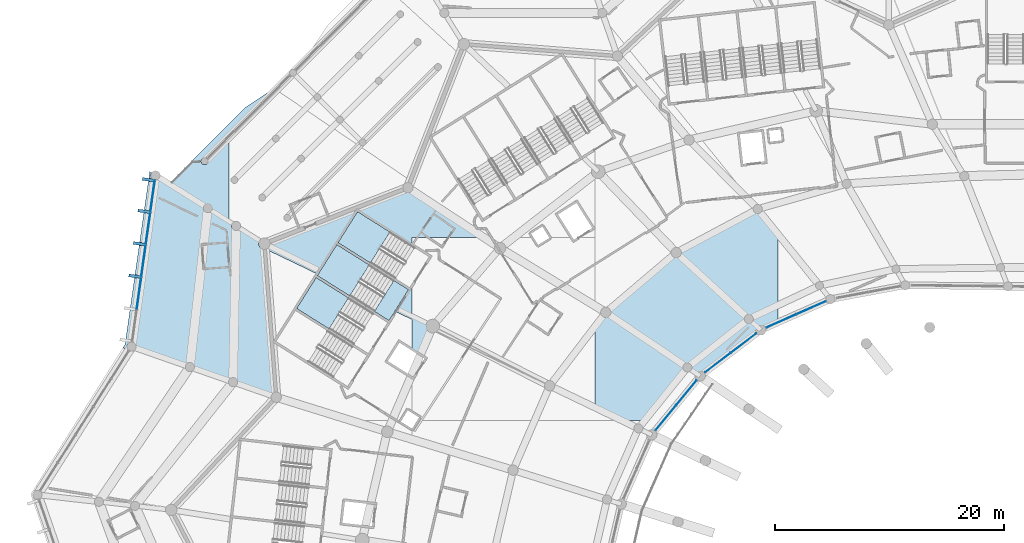
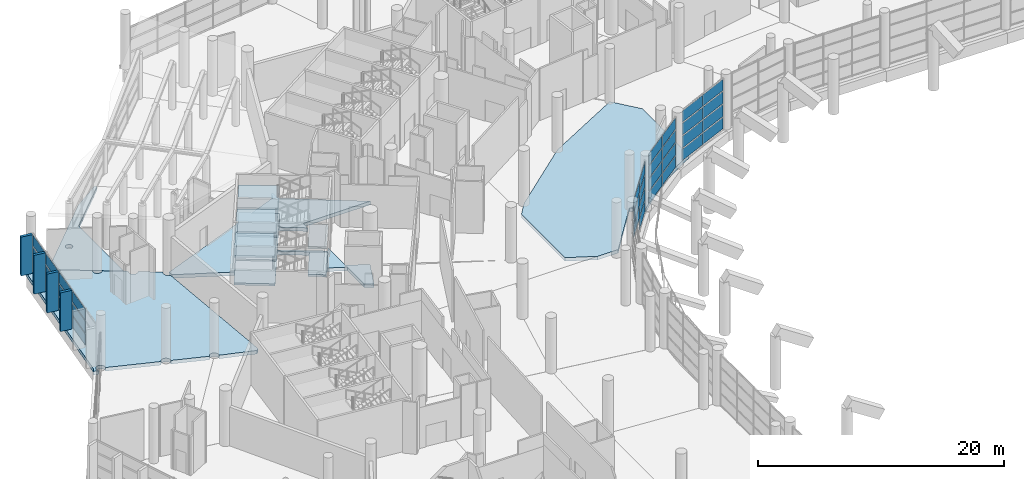
# One storey, part 141 of 271: 39 plates, 12 slabs, 7 elements without a shape of their own.
"""IFC4 building model written with IfcOpenShell, lengths in metres."""

from ifc_helpers import new_model, si_unit, direction, frame, origin, origin_2d, place, context, subcontext, project, spatial, polyline, rectangle, outline, extrude, material, layer, layer_set, type_object, element, aggregate, save


model = new_model("IFC4")

# Units and contexts
model_context = context("Model", 3, precision=1e-05, world=origin(), true_north=direction((0.0, 1.0)))
body_context = subcontext(model_context, "Body", "Model", "MODEL_VIEW")
ifc_project = project(units=[si_unit("LENGTHUNIT", "METRE"), si_unit("AREAUNIT", "SQUARE_METRE"), si_unit("VOLUMEUNIT", "CUBIC_METRE"), si_unit("PLANEANGLEUNIT", "RADIAN"), si_unit("MASSUNIT", "GRAM", prefix="KILO")], contexts=[model_context])

# Site, building, storey
site_placement = place(None, origin())
site = spatial("IfcSite", under=ifc_project, at=site_placement, CompositionType="ELEMENT")
building_placement = place(site_placement, origin())
building = spatial("IfcBuilding", under=site, at=building_placement, Name="Meseta Stadium", CompositionType="ELEMENT")
storey_placement = place(building_placement, frame((0.0, 0.0, 6.5)))
storey = spatial("IfcBuildingStorey", under=building, at=storey_placement, Name="L01", CompositionType="ELEMENT", Elevation=6.5)

# Curtain wall, plates
ifc_material_1 = material(Name="Aluminium", Category="aluminium")
ifc_layer_1 = layer(ifc_material_1, 0.199951171875)
ifc_layer_set_1 = layer_set([ifc_layer_1], Name="Club glazing curtain wall")
curtain_wall_type_1 = type_object("IfcCurtainWallType", Name="Club glazing curtain wall", PredefinedType="NOTDEFINED", material=ifc_layer_set_1)
curtain_wall_1_placement = place(storey_placement, origin())
curtain_wall_1 = element("IfcCurtainWall", 1, at=curtain_wall_1_placement, inside=storey, type_object=curtain_wall_type_1, Name="Club glazing bay 23", PredefinedType="NOTDEFINED")
ifc_material_2 = material(Name="Glass", Category="glass")
ifc_layer_2 = layer(ifc_material_2, 0.028076171875)
ifc_layer_set_2 = layer_set([ifc_layer_2], Name="CW glass panel 28")
plate_type_1 = type_object("IfcPlateType", Name="CW glass panel 28", PredefinedType="CURTAIN_PANEL", material=ifc_layer_set_2)
plate_1_placement = place(storey_placement, frame((-45.120849609375, 73.869873046875, 0.1201171875), z_axis=(0.0, 0.0, 1.0), x_axis=(-0.914527256817, -0.40452428424, 0.0)))
plate_1 = element("IfcPlate", 2, at=plate_1_placement, type_object=plate_type_1, Name="CWC panel 1.1", PredefinedType="CURTAIN_PANEL", context=body_context, shape_type="SweptSolid", body=[
    extrude(rectangle(XDim=2.777099609375, YDim=0.028076171875, at=origin_2d()), origin(), (0.0, 0.0, 1.0), 1.107421875),
])
plate_2_placement = place(storey_placement, frame((-45.120849609375, 73.869873046875, 1.347412109375), z_axis=(0.0, 0.0, 1.0), x_axis=(-0.914527256817, -0.40452428424, 0.0)))
plate_2 = element("IfcPlate", 3, at=plate_2_placement, type_object=plate_type_1, Name="CWC panel 1.2", PredefinedType="CURTAIN_PANEL", context=body_context, shape_type="SweptSolid", body=[
    extrude(rectangle(XDim=2.777099609375, YDim=0.028076171875, at=origin_2d()), origin(), (0.0, 0.0, 1.0), 1.16748046875),
])
plate_3_placement = place(storey_placement, frame((-45.120849609375, 73.869873046875, 2.635009765625), z_axis=(0.0, 0.0, 1.0), x_axis=(-0.914527256817, -0.40452428424, 0.0)))
plate_3 = element("IfcPlate", 4, at=plate_3_placement, type_object=plate_type_1, Name="CWC panel 1.3", PredefinedType="CURTAIN_PANEL", context=body_context, shape_type="SweptSolid", body=[
    extrude(rectangle(XDim=2.777099609375, YDim=0.028076171875, at=origin_2d()), origin(), (0.0, 0.0, 1.0), 1.16748046875),
])
plate_4_placement = place(storey_placement, frame((-45.120849609375, 73.869873046875, 3.922607421875), z_axis=(0.0, 0.0, 1.0), x_axis=(-0.914527256817, -0.40452428424, 0.0)))
plate_4 = element("IfcPlate", 5, at=plate_4_placement, type_object=plate_type_1, Name="CWC panel 1.4", PredefinedType="CURTAIN_PANEL", context=body_context, shape_type="SweptSolid", body=[
    extrude(rectangle(XDim=2.777099609375, YDim=0.028076171875, at=origin_2d()), origin(), (0.0, 0.0, 1.0), 1.107421875),
])
plate_5_placement = place(storey_placement, frame((-47.71533203125, 72.72216796875, 0.1201171875), z_axis=(0.0, 0.0, 1.0), x_axis=(-0.914527256817, -0.40452428424, 0.0)))
plate_5 = element("IfcPlate", 6, at=plate_5_placement, type_object=plate_type_1, Name="CWC panel 2.1", PredefinedType="CURTAIN_PANEL", context=body_context, shape_type="SweptSolid", body=[
    extrude(rectangle(XDim=2.777099609375, YDim=0.028076171875, at=origin_2d()), origin(), (0.0, 0.0, 1.0), 1.107421875),
])
plate_6_placement = place(storey_placement, frame((-47.71533203125, 72.72216796875, 1.347412109375), z_axis=(0.0, 0.0, 1.0), x_axis=(-0.914527256817, -0.40452428424, 0.0)))
plate_6 = element("IfcPlate", 7, at=plate_6_placement, type_object=plate_type_1, Name="CWC panel 2.2", PredefinedType="CURTAIN_PANEL", context=body_context, shape_type="SweptSolid", body=[
    extrude(rectangle(XDim=2.777099609375, YDim=0.028076171875, at=origin_2d()), origin(), (0.0, 0.0, 1.0), 1.16748046875),
])
plate_7_placement = place(storey_placement, frame((-47.71533203125, 72.72216796875, 2.635009765625), z_axis=(0.0, 0.0, 1.0), x_axis=(-0.914527256817, -0.40452428424, 0.0)))
plate_7 = element("IfcPlate", 8, at=plate_7_placement, type_object=plate_type_1, Name="CWC panel 2.3", PredefinedType="CURTAIN_PANEL", context=body_context, shape_type="SweptSolid", body=[
    extrude(rectangle(XDim=2.777099609375, YDim=0.028076171875, at=origin_2d()), origin(), (0.0, 0.0, 1.0), 1.16748046875),
])
plate_8_placement = place(storey_placement, frame((-47.71533203125, 72.72216796875, 3.922607421875), z_axis=(0.0, 0.0, 1.0), x_axis=(-0.914527256817, -0.40452428424, 0.0)))
plate_8 = element("IfcPlate", 9, at=plate_8_placement, type_object=plate_type_1, Name="CWC panel 2.4", PredefinedType="CURTAIN_PANEL", context=body_context, shape_type="SweptSolid", body=[
    extrude(rectangle(XDim=2.777099609375, YDim=0.028076171875, at=origin_2d()), origin(), (0.0, 0.0, 1.0), 1.107421875),
])
aggregate(curtain_wall_1, [plate_1, plate_2, plate_3, plate_4, plate_5, plate_6, plate_7, plate_8])

curtain_wall_2_placement = place(storey_placement, origin())
curtain_wall_2 = element("IfcCurtainWall", 10, at=curtain_wall_2_placement, inside=storey, type_object=curtain_wall_type_1, Name="Club glazing bay 24", PredefinedType="NOTDEFINED")
plate_9_placement = place(storey_placement, frame((-51.0234375, 70.782470703125, 0.1201171875), z_axis=(0.0, 0.0, 1.0), x_axis=(-0.796590021375, -0.604519923448, 0.0)))
plate_9 = element("IfcPlate", 11, at=plate_9_placement, type_object=plate_type_1, Name="CWC panel 1.1", PredefinedType="CURTAIN_PANEL", context=body_context, shape_type="SweptSolid", body=[
    extrude(rectangle(XDim=2.759765625, YDim=0.028076171875, at=origin_2d()), origin(), (0.0, 0.0, 1.0), 1.107421875),
])
plate_10_placement = place(storey_placement, frame((-51.0234375, 70.782470703125, 1.347412109375), z_axis=(0.0, 0.0, 1.0), x_axis=(-0.796590021375, -0.604519923448, 0.0)))
plate_10 = element("IfcPlate", 12, at=plate_10_placement, type_object=plate_type_1, Name="CWC panel 1.2", PredefinedType="CURTAIN_PANEL", context=body_context, shape_type="SweptSolid", body=[
    extrude(rectangle(XDim=2.759765625, YDim=0.028076171875, at=origin_2d()), origin(), (0.0, 0.0, 1.0), 1.16748046875),
])
plate_11_placement = place(storey_placement, frame((-51.0234375, 70.782470703125, 2.635009765625), z_axis=(0.0, 0.0, 1.0), x_axis=(-0.796590021375, -0.604519923448, 0.0)))
plate_11 = element("IfcPlate", 13, at=plate_11_placement, type_object=plate_type_1, Name="CWC panel 1.3", PredefinedType="CURTAIN_PANEL", context=body_context, shape_type="SweptSolid", body=[
    extrude(rectangle(XDim=2.759765625, YDim=0.028076171875, at=origin_2d()), origin(), (0.0, 0.0, 1.0), 1.16748046875),
])
plate_12_placement = place(storey_placement, frame((-51.0234375, 70.782470703125, 3.922607421875), z_axis=(0.0, 0.0, 1.0), x_axis=(-0.796590021375, -0.604519923448, 0.0)))
plate_12 = element("IfcPlate", 14, at=plate_12_placement, type_object=plate_type_1, Name="CWC panel 1.4", PredefinedType="CURTAIN_PANEL", context=body_context, shape_type="SweptSolid", body=[
    extrude(rectangle(XDim=2.759765625, YDim=0.028076171875, at=origin_2d()), origin(), (0.0, 0.0, 1.0), 1.107421875),
])
plate_13_placement = place(storey_placement, frame((-53.26953125, 69.077880859375, 0.1201171875), z_axis=(0.0, 0.0, 1.0), x_axis=(-0.796590021375, -0.604519923448, 0.0)))
plate_13 = element("IfcPlate", 15, at=plate_13_placement, type_object=plate_type_1, Name="CWC panel 2.1", PredefinedType="CURTAIN_PANEL", context=body_context, shape_type="SweptSolid", body=[
    extrude(rectangle(XDim=2.759765625, YDim=0.028076171875, at=origin_2d()), origin(), (0.0, 0.0, 1.0), 1.107421875),
])
plate_14_placement = place(storey_placement, frame((-53.26953125, 69.077880859375, 1.347412109375), z_axis=(0.0, 0.0, 1.0), x_axis=(-0.796590021375, -0.604519923448, 0.0)))
plate_14 = element("IfcPlate", 16, at=plate_14_placement, type_object=plate_type_1, Name="CWC panel 2.2", PredefinedType="CURTAIN_PANEL", context=body_context, shape_type="SweptSolid", body=[
    extrude(rectangle(XDim=2.759765625, YDim=0.028076171875, at=origin_2d()), origin(), (0.0, 0.0, 1.0), 1.16748046875),
])
plate_15_placement = place(storey_placement, frame((-53.26953125, 69.077880859375, 2.635009765625), z_axis=(0.0, 0.0, 1.0), x_axis=(-0.796590021375, -0.604519923448, 0.0)))
plate_15 = element("IfcPlate", 17, at=plate_15_placement, type_object=plate_type_1, Name="CWC panel 2.3", PredefinedType="CURTAIN_PANEL", context=body_context, shape_type="SweptSolid", body=[
    extrude(rectangle(XDim=2.759765625, YDim=0.028076171875, at=origin_2d()), origin(), (0.0, 0.0, 1.0), 1.16748046875),
])
plate_16_placement = place(storey_placement, frame((-53.26953125, 69.077880859375, 3.922607421875), z_axis=(0.0, 0.0, 1.0), x_axis=(-0.796590021375, -0.604519923448, 0.0)))
plate_16 = element("IfcPlate", 18, at=plate_16_placement, type_object=plate_type_1, Name="CWC panel 2.4", PredefinedType="CURTAIN_PANEL", context=body_context, shape_type="SweptSolid", body=[
    extrude(rectangle(XDim=2.759765625, YDim=0.028076171875, at=origin_2d()), origin(), (0.0, 0.0, 1.0), 1.107421875),
])
aggregate(curtain_wall_2, [plate_9, plate_10, plate_11, plate_12, plate_13, plate_14, plate_15, plate_16])

curtain_wall_3_placement = place(storey_placement, origin())
curtain_wall_3 = element("IfcCurtainWall", 19, at=curtain_wall_3_placement, inside=storey, type_object=curtain_wall_type_1, Name="Club glazing bay 25", PredefinedType="NOTDEFINED")
plate_17_placement = place(storey_placement, frame((-56.022705078125, 66.44091796875, 0.1201171875), z_axis=(0.0, 0.0, 1.0), x_axis=(-0.63574102663, -0.771902420685, 0.0)))
plate_17 = element("IfcPlate", 20, at=plate_17_placement, type_object=plate_type_1, Name="CWC panel 1.1", PredefinedType="CURTAIN_PANEL", context=body_context, shape_type="SweptSolid", body=[
    extrude(rectangle(XDim=2.7646484375, YDim=0.028076171875, at=origin_2d()), origin(), (0.0, 0.0, 1.0), 1.107421875),
])
plate_18_placement = place(storey_placement, frame((-56.022705078125, 66.44091796875, 1.347412109375), z_axis=(0.0, 0.0, 1.0), x_axis=(-0.63574102663, -0.771902420685, 0.0)))
plate_18 = element("IfcPlate", 21, at=plate_18_placement, type_object=plate_type_1, Name="CWC panel 1.2", PredefinedType="CURTAIN_PANEL", context=body_context, shape_type="SweptSolid", body=[
    extrude(rectangle(XDim=2.7646484375, YDim=0.028076171875, at=origin_2d()), origin(), (0.0, 0.0, 1.0), 1.16748046875),
])
plate_19_placement = place(storey_placement, frame((-56.022705078125, 66.44091796875, 2.635009765625), z_axis=(0.0, 0.0, 1.0), x_axis=(-0.63574102663, -0.771902420685, 0.0)))
plate_19 = element("IfcPlate", 22, at=plate_19_placement, type_object=plate_type_1, Name="CWC panel 1.3", PredefinedType="CURTAIN_PANEL", context=body_context, shape_type="SweptSolid", body=[
    extrude(rectangle(XDim=2.7646484375, YDim=0.028076171875, at=origin_2d()), origin(), (0.0, 0.0, 1.0), 1.16748046875),
])
plate_20_placement = place(storey_placement, frame((-56.022705078125, 66.44091796875, 3.922607421875), z_axis=(0.0, 0.0, 1.0), x_axis=(-0.63574102663, -0.771902420685, 0.0)))
plate_20 = element("IfcPlate", 23, at=plate_20_placement, type_object=plate_type_1, Name="CWC panel 1.4", PredefinedType="CURTAIN_PANEL", context=body_context, shape_type="SweptSolid", body=[
    extrude(rectangle(XDim=2.7646484375, YDim=0.028076171875, at=origin_2d()), origin(), (0.0, 0.0, 1.0), 1.107421875),
])
plate_21_placement = place(storey_placement, frame((-57.818359375, 64.260498046875, 1.347412109375), z_axis=(0.0, 0.0, 1.0), x_axis=(-0.63574102663, -0.771902420685, 0.0)))
plate_21 = element("IfcPlate", 24, at=plate_21_placement, type_object=plate_type_1, Name="CWC panel 2.2", PredefinedType="CURTAIN_PANEL", context=body_context, shape_type="SweptSolid", body=[
    extrude(rectangle(XDim=2.7646484375, YDim=0.028076171875, at=origin_2d()), origin(), (0.0, 0.0, 1.0), 1.16748046875),
])
plate_22_placement = place(storey_placement, frame((-57.818359375, 64.260498046875, 2.635009765625), z_axis=(0.0, 0.0, 1.0), x_axis=(-0.63574102663, -0.771902420685, 0.0)))
plate_22 = element("IfcPlate", 25, at=plate_22_placement, type_object=plate_type_1, Name="CWC panel 2.3", PredefinedType="CURTAIN_PANEL", context=body_context, shape_type="SweptSolid", body=[
    extrude(rectangle(XDim=2.7646484375, YDim=0.028076171875, at=origin_2d()), origin(), (0.0, 0.0, 1.0), 1.16748046875),
])
plate_23_placement = place(storey_placement, frame((-57.818359375, 64.260498046875, 3.922607421875), z_axis=(0.0, 0.0, 1.0), x_axis=(-0.63574102663, -0.771902420685, 0.0)))
plate_23 = element("IfcPlate", 26, at=plate_23_placement, type_object=plate_type_1, Name="CWC panel 2.4", PredefinedType="CURTAIN_PANEL", context=body_context, shape_type="SweptSolid", body=[
    extrude(rectangle(XDim=2.7646484375, YDim=0.028076171875, at=origin_2d()), origin(), (0.0, 0.0, 1.0), 1.107421875),
])
aggregate(curtain_wall_3, [plate_17, plate_18, plate_19, plate_20, plate_21, plate_22, plate_23])

# Slabs
ifc_material_3 = material(Name="Concrete C40/50", Category="concrete")
ifc_layer_3 = layer(ifc_material_3, 0.35009765625)
ifc_layer_set_3 = layer_set([ifc_layer_3], Name="Floor slab 350")
slab_type_1 = type_object("IfcSlabType", Name="Floor slab 350", PredefinedType="FLOOR", material=ifc_layer_set_3)
slab_1_placement = place(storey_placement, frame((0.0, 0.0, -0.35009765625)))
element("IfcSlab", 27, at=slab_1_placement, inside=storey, type_object=slab_type_1, Name="Floor slab L01 sector 21 panel 03", PredefinedType="FLOOR", context=body_context, shape_type="SweptSolid", body=[
    extrude(outline(polyline([(-80.124267578125, 84.98388671875), (-80.365478515625, 84.365478515625), (-92.908447265625, 79.474609375), (-92.87451171875, 79.03369140625), (-88.2158203125, 76.793212890625), (-86.58056640625, 79.395751953125), (-80.314697265625, 75.458740234375), (-81.504150390625, 73.565673828125), (-80.0, 72.84228515625), (-80.0, 70.12353515625), (-79.308349609375, 69.68896484375), (-78.197998046875, 72.27197265625), (-80.0, 73.154296875), (-80.0, 75.959716796875), (-80.208251953125, 75.628173828125), (-86.47412109375, 79.565185546875), (-84.771484375, 82.274658203125), (-80.0, 79.276611328125), (-80.0, 80.0), (-73.699951171875, 80.0), (-80.0, 84.126220703125), (-80.0, 84.89990234375), (-80.124267578125, 84.98388671875)])), origin(), (0.0, 0.0, 1.0), 0.35009765625),
])
slab_2_placement = place(storey_placement, frame((0.0, 0.0, -0.35009765625)))
element("IfcSlab", 28, at=slab_2_placement, inside=storey, type_object=slab_type_1, Name="Floor slab L01 sector 21 panel 11", PredefinedType="FLOOR", context=body_context, shape_type="SweptSolid", body=[
    extrude(outline(polyline([(-50.46484375, 71.34130859375), (-49.518310546875, 71.924560546875), (-48.5498046875, 72.470703125), (-48.0, 72.753173828125), (-48.0, 80.279296875), (-49.791015625, 82.498779296875), (-56.9150390625, 78.69580078125), (-63.068115234375, 73.469970703125), (-64.0, 72.251708984375), (-64.0, 65.1474609375), (-61.614013671875, 64.0), (-59.68408203125, 64.0), (-55.940185546875, 68.658203125), (-54.819580078125, 67.901611328125), (-54.00341796875, 68.656005859375), (-53.15869140625, 69.37841796875), (-52.286376953125, 70.0673828125), (-51.387939453125, 70.721923828125), (-50.46484375, 71.34130859375)])), origin(), (0.0, 0.0, 1.0), 0.35009765625),
])
slab_3_placement = place(storey_placement, frame((0.0, 0.0, -0.35009765625)))
element("IfcSlab", 29, at=slab_3_placement, inside=storey, type_object=slab_type_1, Name="Gate hall floor slab 4 panel 01", PredefinedType="FLOOR", context=body_context, shape_type="SweptSolid", body=[
    extrude(outline(polyline([(-94.555419921875, 91.388671875), (-101.236572265625, 84.70751953125), (-96.0, 81.4169921875), (-96.0, 88.8125), (-91.8876953125, 92.9248046875), (-92.0751953125, 93.051513671875), (-94.555419921875, 91.388671875)]), holes=[polyline([(-98.2158203125, 86.96728515625), (-98.1376953125, 86.9775390625), (-98.059326171875, 86.96728515625), (-97.986328125, 86.93701171875), (-97.923583984375, 86.888916015625), (-97.87548828125, 86.826416015625), (-97.84521484375, 86.75341796875), (-97.8349609375, 86.675048828125), (-97.84521484375, 86.5966796875), (-97.87548828125, 86.523681640625), (-97.923583984375, 86.461181640625), (-97.986328125, 86.4130859375), (-98.059326171875, 86.3828125), (-98.1376953125, 86.372314453125), (-98.2158203125, 86.3828125), (-98.288818359375, 86.4130859375), (-98.3515625, 86.461181640625), (-98.399658203125, 86.523681640625), (-98.429931640625, 86.5966796875), (-98.440185546875, 86.675048828125), (-98.429931640625, 86.75341796875), (-98.399658203125, 86.826416015625), (-98.3515625, 86.888916015625), (-98.288818359375, 86.93701171875), (-98.2158203125, 86.96728515625)])]), origin(), (0.0, 0.0, 1.0), 0.35009765625),
])
slab_4_placement = place(storey_placement, frame((0.0, 0.0, -0.35009765625)))
element("IfcSlab", 30, at=slab_4_placement, inside=storey, type_object=slab_type_1, Name="Ring floor slab L01 4 part 2 panel 02", PredefinedType="FLOOR", context=body_context, shape_type="SweptSolid", body=[
    extrude(outline(polyline([(-95.258544921875, 67.268310546875), (-95.272705078125, 67.234375), (-92.2578125, 66.2890625), (-92.193603515625, 66.37255859375), (-92.099609375, 66.444580078125), (-92.054931640625, 66.463134765625), (-93.021240234375, 78.985107421875), (-93.0390625, 78.9873046875), (-93.16064453125, 79.037841796875), (-93.26513671875, 79.117919921875), (-93.34521484375, 79.222412109375), (-93.395751953125, 79.343994140625), (-93.412841796875, 79.474609375), (-93.395751953125, 79.60498046875), (-93.34521484375, 79.726806640625), (-93.333740234375, 79.74169921875), (-95.0400390625, 80.81396484375), (-95.094970703125, 80.7421875), (-95.178466796875, 80.67822265625), (-95.27587890625, 80.637939453125), (-95.380126953125, 80.624267578125), (-95.484619140625, 80.637939453125), (-95.581787109375, 80.67822265625), (-95.66552734375, 80.7421875), (-95.7294921875, 80.825927734375), (-95.77001953125, 80.923095703125), (-95.78369140625, 81.027587890625), (-95.77001953125, 81.132080078125), (-95.7294921875, 81.2294921875), (-95.720458984375, 81.241455078125), (-97.51171875, 82.366943359375), (-97.566650390625, 82.29541015625), (-97.650146484375, 82.231201171875), (-97.747314453125, 82.19091796875), (-97.851806640625, 82.17724609375), (-97.89697265625, 82.18310546875), (-97.956298828125, 82.19091796875), (-98.0537109375, 82.231201171875), (-98.13720703125, 82.29541015625), (-98.201416015625, 82.37890625), (-98.24169921875, 82.476318359375), (-98.25537109375, 82.580810546875), (-98.24169921875, 82.68505859375), (-98.201416015625, 82.782470703125), (-98.19189453125, 82.79443359375), (-102.083984375, 85.239990234375), (-102.138916015625, 85.16845703125), (-102.222412109375, 85.104248046875), (-102.31982421875, 85.06396484375), (-102.42431640625, 85.05029296875), (-102.479736328125, 85.0576171875), (-102.528564453125, 85.06396484375), (-102.6259765625, 85.104248046875), (-102.70947265625, 85.16845703125), (-102.773681640625, 85.251953125), (-102.81396484375, 85.34912109375), (-102.82763671875, 85.45361328125), (-102.81396484375, 85.55810546875), (-102.773681640625, 85.655517578125), (-102.764404296875, 85.66748046875), (-102.93212890625, 85.77294921875), (-105.087158203125, 70.675537109375), (-105.27880859375, 70.37158203125), (-104.837646484375, 70.233154296875), (-104.8701171875, 70.275634765625), (-104.910400390625, 70.372802734375), (-104.92431640625, 70.477294921875), (-104.910400390625, 70.581787109375), (-104.8701171875, 70.678955078125), (-104.805908203125, 70.7626953125), (-104.722412109375, 70.82666015625), (-104.625244140625, 70.866943359375), (-104.520751953125, 70.880859375), (-104.416259765625, 70.866943359375), (-104.319091796875, 70.82666015625), (-104.235595703125, 70.7626953125), (-104.17138671875, 70.678955078125), (-104.131103515625, 70.581787109375), (-104.1171875, 70.477294921875), (-104.131103515625, 70.372802734375), (-104.142578125, 70.344970703125), (-99.802001953125, 68.826171875), (-99.773193359375, 68.8955078125), (-99.708984375, 68.97900390625), (-99.62548828125, 69.043212890625), (-99.5283203125, 69.08349609375), (-99.423828125, 69.09716796875), (-99.3193359375, 69.08349609375), (-99.22216796875, 69.043212890625), (-99.138427734375, 68.97900390625), (-99.074462890625, 68.8955078125), (-99.0341796875, 68.798095703125), (-99.020263671875, 68.69384765625), (-99.0341796875, 68.58935546875), (-99.045654296875, 68.5615234375), (-96.0263671875, 67.5048828125), (-95.997802734375, 67.574462890625), (-95.93359375, 67.657958984375), (-95.85009765625, 67.72216796875), (-95.752685546875, 67.762451171875), (-95.648193359375, 67.776123046875), (-95.543701171875, 67.762451171875), (-95.446533203125, 67.72216796875), (-95.363037109375, 67.657958984375), (-95.298828125, 67.574462890625), (-95.258544921875, 67.47705078125), (-95.244873046875, 67.372802734375), (-95.258544921875, 67.268310546875)])), origin(), (0.0, 0.0, 1.0), 0.35009765625),
])

# Curtain wall, plates
ifc_material_4 = material(Name="Aluminium", Category="aluminium")
ifc_layer_4 = layer(ifc_material_4, 0.199951171875)
ifc_layer_set_4 = layer_set([ifc_layer_4], Name="Ring shopfront curtain wall")
curtain_wall_type_2 = type_object("IfcCurtainWallType", Name="Ring shopfront curtain wall", PredefinedType="NOTDEFINED", material=ifc_layer_set_4)
curtain_wall_4_placement = place(storey_placement, origin())
curtain_wall_4 = element("IfcCurtainWall", 31, at=curtain_wall_4_placement, inside=storey, type_object=curtain_wall_type_2, Name="Ring glazing L01 F26", PredefinedType="NOTDEFINED")
ifc_material_5 = material(Name="Glass", Category="glass")
ifc_layer_5 = layer(ifc_material_5, 0.035888671875)
ifc_layer_set_5 = layer_set([ifc_layer_5], Name="Ring CW glass panel 36")
plate_type_2 = type_object("IfcPlateType", Name="Ring CW glass panel 36", PredefinedType="CURTAIN_PANEL", material=ifc_layer_set_5)
plate_24_placement = place(storey_placement, frame((-102.68017578125, 83.624267578125, 0.14990234375), z_axis=(0.0, 0.0, 1.0), x_axis=(-0.13864277713, -0.990342456098, 0.0)))
plate_24 = element("IfcPlate", 32, at=plate_24_placement, type_object=plate_type_2, Name="CWR1 panel 1.1", PredefinedType="CURTAIN_PANEL", context=body_context, shape_type="SweptSolid", body=[
    extrude(rectangle(XDim=2.7744140625, YDim=0.035888671875, at=origin_2d()), origin(), (0.0, 0.0, 1.0), 1.058349609375),
])
plate_25_placement = place(storey_placement, frame((-102.68017578125, 83.624267578125, 1.3583984375), z_axis=(0.0, 0.0, 1.0), x_axis=(-0.13864277713, -0.990342456098, 0.0)))
plate_25 = element("IfcPlate", 33, at=plate_25_placement, type_object=plate_type_2, Name="CWR1 panel 1.2", PredefinedType="CURTAIN_PANEL", context=body_context, shape_type="SweptSolid", body=[
    extrude(rectangle(XDim=2.7744140625, YDim=0.035888671875, at=origin_2d()), origin(), (0.0, 0.0, 1.0), 1.13330078125),
])
plate_26_placement = place(storey_placement, frame((-102.68017578125, 83.624267578125, 2.6416015625), z_axis=(0.0, 0.0, 1.0), x_axis=(-0.13864277713, -0.990342456098, 0.0)))
plate_26 = element("IfcPlate", 34, at=plate_26_placement, type_object=plate_type_2, Name="CWR1 panel 1.3", PredefinedType="CURTAIN_PANEL", context=body_context, shape_type="SweptSolid", body=[
    extrude(rectangle(XDim=2.7744140625, YDim=0.035888671875, at=origin_2d()), origin(), (0.0, 0.0, 1.0), 1.058349609375),
])
plate_27_placement = place(storey_placement, frame((-103.0751953125, 80.80224609375, 0.14990234375), z_axis=(0.0, 0.0, 1.0), x_axis=(-0.13864277713, -0.990342456098, 0.0)))
plate_27 = element("IfcPlate", 35, at=plate_27_placement, type_object=plate_type_2, Name="CWR1 panel 2.1", PredefinedType="CURTAIN_PANEL", context=body_context, shape_type="SweptSolid", body=[
    extrude(rectangle(XDim=2.804443359375, YDim=0.035888671875, at=origin_2d()), origin(), (0.0, 0.0, 1.0), 1.058349609375),
])
plate_28_placement = place(storey_placement, frame((-103.0751953125, 80.80224609375, 1.3583984375), z_axis=(0.0, 0.0, 1.0), x_axis=(-0.13864277713, -0.990342456098, 0.0)))
plate_28 = element("IfcPlate", 36, at=plate_28_placement, type_object=plate_type_2, Name="CWR1 panel 2.2", PredefinedType="CURTAIN_PANEL", context=body_context, shape_type="SweptSolid", body=[
    extrude(rectangle(XDim=2.804443359375, YDim=0.035888671875, at=origin_2d()), origin(), (0.0, 0.0, 1.0), 1.13330078125),
])
plate_29_placement = place(storey_placement, frame((-103.0751953125, 80.80224609375, 2.6416015625), z_axis=(0.0, 0.0, 1.0), x_axis=(-0.13864277713, -0.990342456098, 0.0)))
plate_29 = element("IfcPlate", 37, at=plate_29_placement, type_object=plate_type_2, Name="CWR1 panel 2.3", PredefinedType="CURTAIN_PANEL", context=body_context, shape_type="SweptSolid", body=[
    extrude(rectangle(XDim=2.804443359375, YDim=0.035888671875, at=origin_2d()), origin(), (0.0, 0.0, 1.0), 1.058349609375),
])
plate_30_placement = place(storey_placement, frame((-103.472412109375, 77.96533203125, 0.14990234375), z_axis=(0.0, 0.0, 1.0), x_axis=(-0.13864277713, -0.990342456098, 0.0)))
plate_30 = element("IfcPlate", 38, at=plate_30_placement, type_object=plate_type_2, Name="CWR1 panel 3.1", PredefinedType="CURTAIN_PANEL", context=body_context, shape_type="SweptSolid", body=[
    extrude(rectangle(XDim=2.804443359375, YDim=0.035888671875, at=origin_2d()), origin(), (0.0, 0.0, 1.0), 1.058349609375),
])
plate_31_placement = place(storey_placement, frame((-103.472412109375, 77.96533203125, 1.3583984375), z_axis=(0.0, 0.0, 1.0), x_axis=(-0.13864277713, -0.990342456098, 0.0)))
plate_31 = element("IfcPlate", 39, at=plate_31_placement, type_object=plate_type_2, Name="CWR1 panel 3.2", PredefinedType="CURTAIN_PANEL", context=body_context, shape_type="SweptSolid", body=[
    extrude(rectangle(XDim=2.804443359375, YDim=0.035888671875, at=origin_2d()), origin(), (0.0, 0.0, 1.0), 1.13330078125),
])
plate_32_placement = place(storey_placement, frame((-103.472412109375, 77.96533203125, 2.6416015625), z_axis=(0.0, 0.0, 1.0), x_axis=(-0.13864277713, -0.990342456098, 0.0)))
plate_32 = element("IfcPlate", 40, at=plate_32_placement, type_object=plate_type_2, Name="CWR1 panel 3.3", PredefinedType="CURTAIN_PANEL", context=body_context, shape_type="SweptSolid", body=[
    extrude(rectangle(XDim=2.804443359375, YDim=0.035888671875, at=origin_2d()), origin(), (0.0, 0.0, 1.0), 1.058349609375),
])
plate_33_placement = place(storey_placement, frame((-103.86962890625, 75.128662109375, 0.14990234375), z_axis=(0.0, 0.0, 1.0), x_axis=(-0.13864277713, -0.990342456098, 0.0)))
plate_33 = element("IfcPlate", 41, at=plate_33_placement, type_object=plate_type_2, Name="CWR1 panel 4.1", PredefinedType="CURTAIN_PANEL", context=body_context, shape_type="SweptSolid", body=[
    extrude(rectangle(XDim=2.804443359375, YDim=0.035888671875, at=origin_2d()), origin(), (0.0, 0.0, 1.0), 1.058349609375),
])
plate_34_placement = place(storey_placement, frame((-103.86962890625, 75.128662109375, 1.3583984375), z_axis=(0.0, 0.0, 1.0), x_axis=(-0.13864277713, -0.990342456098, 0.0)))
plate_34 = element("IfcPlate", 42, at=plate_34_placement, type_object=plate_type_2, Name="CWR1 panel 4.2", PredefinedType="CURTAIN_PANEL", context=body_context, shape_type="SweptSolid", body=[
    extrude(rectangle(XDim=2.804443359375, YDim=0.035888671875, at=origin_2d()), origin(), (0.0, 0.0, 1.0), 1.13330078125),
])
plate_35_placement = place(storey_placement, frame((-103.86962890625, 75.128662109375, 2.6416015625), z_axis=(0.0, 0.0, 1.0), x_axis=(-0.13864277713, -0.990342456098, 0.0)))
plate_35 = element("IfcPlate", 43, at=plate_35_placement, type_object=plate_type_2, Name="CWR1 panel 4.3", PredefinedType="CURTAIN_PANEL", context=body_context, shape_type="SweptSolid", body=[
    extrude(rectangle(XDim=2.804443359375, YDim=0.035888671875, at=origin_2d()), origin(), (0.0, 0.0, 1.0), 1.058349609375),
])
aggregate(curtain_wall_4, [plate_24, plate_25, plate_26, plate_27, plate_28, plate_29, plate_30, plate_31, plate_32, plate_33, plate_34, plate_35])

# Plates
ifc_material_6 = material(Name="Precast concrete C40/50", Category="concrete")
ifc_layer_6 = layer(ifc_material_6, 0.25)
ifc_layer_set_6 = layer_set([ifc_layer_6], Name="Ring brise-soleil fin 250x1000")
plate_type_3 = type_object("IfcPlateType", Name="Ring brise-soleil fin 250x1000", PredefinedType="USERDEFINED", material=ifc_layer_set_6)
for number, where, z_axis, x_axis, name in (
    (44, (-103.084228515625, 85.06640625, 0.0), (0.0, 0.0, 1.0), (-0.138640750978, -0.990342739746, 0.0), "Brise-soleil fin L01 F26.1"),
    (45, (-103.470947265625, 82.303955078125, 0.0), (0.0, 0.0, 1.0), (-0.138640750978, -0.990342739746, 0.0), "Brise-soleil fin L01 F26.2"),
    (46, (-103.8681640625, 79.467041015625, 0.0), (0.0, 0.0, 1.0), (-0.138640750978, -0.990342739746, 0.0), "Brise-soleil fin L01 F26.3"),
    (47, (-104.26513671875, 76.63037109375, 0.0), (0.0, 0.0, 1.0), (-0.138640750978, -0.990342739746, 0.0), "Brise-soleil fin L01 F26.4"),
):
    element("IfcPlate", number, at=place(storey_placement, frame(where, z_axis=z_axis, x_axis=x_axis)), inside=storey, type_object=plate_type_3, Name=name, ObjectType="FIN", PredefinedType="USERDEFINED", context=body_context, shape_type="SweptSolid", body=[
        extrude(rectangle(XDim=0.25, YDim=1.0, at=origin_2d()), origin(), (0.0, 0.0, 1.0), 3.85009765625),
    ])

# Stair, slabs
ifc_material_7 = material(Name="Concrete C40/50", Category="concrete")
stair_type = type_object("IfcStairType", Name="Exit stair 4 flights 153 mm risers", PredefinedType="HALF_TURN_STAIR", material=ifc_material_7)
stair_1_placement = place(storey_placement, origin())
stair_1 = element("IfcStair", 48, at=stair_1_placement, inside=storey, type_object=stair_type, Name="ST53 L01", PredefinedType="HALF_TURN_STAIR")
ifc_material_8 = material(Name="Concrete C40/50", Category="concrete")
ifc_layer_7 = layer(ifc_material_8, 0.199951171875)
ifc_layer_set_7 = layer_set([ifc_layer_7], Name="Stair landing 200")
slab_type_2 = type_object("IfcSlabType", Name="Stair landing 200", PredefinedType="LANDING", material=ifc_layer_set_7)
slab_5_placement = place(storey_placement, frame((0.0, 0.0, 1.175048828125)))
slab_5 = element("IfcSlab", 49, at=slab_5_placement, type_object=slab_type_2, Name="ST53 L01 landing 1", PredefinedType="LANDING", context=body_context, shape_type="SweptSolid", body=[
    extrude(outline(polyline([(-81.93505859375, 80.492431640625), (-84.771484375, 82.274658203125), (-86.47412109375, 79.565185546875), (-83.637451171875, 77.78271484375), (-81.93505859375, 80.492431640625)])), origin(), (0.0, 0.0, 1.0), 0.199951171875),
])
slab_6_placement = place(storey_placement, frame((0.0, 0.0, 3.925048828125)))
slab_6 = element("IfcSlab", 50, at=slab_6_placement, type_object=slab_type_2, Name="ST53 L01 landing 3", PredefinedType="LANDING", context=body_context, shape_type="SweptSolid", body=[
    extrude(outline(polyline([(-81.93505859375, 80.492431640625), (-84.771484375, 82.274658203125), (-86.47412109375, 79.565185546875), (-83.637451171875, 77.78271484375), (-81.93505859375, 80.492431640625)])), origin(), (0.0, 0.0, 1.0), 0.199951171875),
])
aggregate(stair_1, [slab_5, slab_6])

stair_2_placement = place(storey_placement, origin())
stair_2 = element("IfcStair", 51, at=stair_2_placement, inside=storey, type_object=stair_type, Name="ST54 L01", PredefinedType="HALF_TURN_STAIR")
slab_7_placement = place(storey_placement, frame((0.0, 0.0, 1.175048828125)))
slab_7 = element("IfcSlab", 52, at=slab_7_placement, type_object=slab_type_2, Name="ST54 L01 landing 1", PredefinedType="LANDING", context=body_context, shape_type="SweptSolid", body=[
    extrude(outline(polyline([(-83.743896484375, 77.613525390625), (-86.58056640625, 79.395751953125), (-88.282958984375, 76.686279296875), (-85.446533203125, 74.904052734375), (-83.743896484375, 77.613525390625)])), origin(), (0.0, 0.0, 1.0), 0.199951171875),
])
slab_8_placement = place(storey_placement, frame((0.0, 0.0, 2.550048828125)))
slab_8 = element("IfcSlab", 53, at=slab_8_placement, type_object=slab_type_2, Name="ST54 L01 landing 2", PredefinedType="LANDING", context=body_context, shape_type="SweptSolid", body=[
    extrude(outline(polyline([(-80.314697265625, 75.458740234375), (-81.59326171875, 76.26220703125), (-83.2958984375, 73.552490234375), (-82.017333984375, 72.749267578125), (-80.314697265625, 75.458740234375)])), origin(), (0.0, 0.0, 1.0), 0.199951171875),
])
slab_9_placement = place(storey_placement, frame((0.0, 0.0, 3.925048828125)))
slab_9 = element("IfcSlab", 54, at=slab_9_placement, type_object=slab_type_2, Name="ST54 L01 landing 3", PredefinedType="LANDING", context=body_context, shape_type="SweptSolid", body=[
    extrude(outline(polyline([(-83.743896484375, 77.613525390625), (-86.58056640625, 79.395751953125), (-88.282958984375, 76.686279296875), (-85.446533203125, 74.904052734375), (-83.743896484375, 77.613525390625)])), origin(), (0.0, 0.0, 1.0), 0.199951171875),
])
slab_10_placement = place(storey_placement, frame((0.0, 0.0, -0.199951171875)))
slab_10 = element("IfcSlab", 55, at=slab_10_placement, type_object=slab_type_2, Name="ST54 L01 landing 4", PredefinedType="LANDING", context=body_context, shape_type="SweptSolid", body=[
    extrude(outline(polyline([(-80.314697265625, 75.458740234375), (-81.59326171875, 76.26220703125), (-83.2958984375, 73.552490234375), (-82.017333984375, 72.749267578125), (-80.314697265625, 75.458740234375)])), origin(), (0.0, 0.0, 1.0), 0.199951171875),
])
aggregate(stair_2, [slab_7, slab_8, slab_9, slab_10])

stair_3_placement = place(storey_placement, origin())
stair_3 = element("IfcStair", 56, at=stair_3_placement, inside=storey, type_object=stair_type, Name="ST55 L01", PredefinedType="HALF_TURN_STAIR")
slab_11_placement = place(storey_placement, frame((0.0, 0.0, 1.175048828125)))
slab_11 = element("IfcSlab", 57, at=slab_11_placement, type_object=slab_type_2, Name="ST55 L01 landing 1", PredefinedType="LANDING", context=body_context, shape_type="SweptSolid", body=[
    extrude(outline(polyline([(-85.552978515625, 74.734619140625), (-88.389404296875, 76.516845703125), (-90.091796875, 73.807373046875), (-87.25537109375, 72.025146484375), (-85.552978515625, 74.734619140625)])), origin(), (0.0, 0.0, 1.0), 0.199951171875),
])
slab_12_placement = place(storey_placement, frame((0.0, 0.0, 3.925048828125)))
slab_12 = element("IfcSlab", 58, at=slab_12_placement, type_object=slab_type_2, Name="ST55 L01 landing 3", PredefinedType="LANDING", context=body_context, shape_type="SweptSolid", body=[
    extrude(outline(polyline([(-85.552978515625, 74.734619140625), (-88.389404296875, 76.516845703125), (-90.091796875, 73.807373046875), (-87.25537109375, 72.025146484375), (-85.552978515625, 74.734619140625)])), origin(), (0.0, 0.0, 1.0), 0.199951171875),
])
aggregate(stair_3, [slab_11, slab_12])

save(model, "model.ifc")
